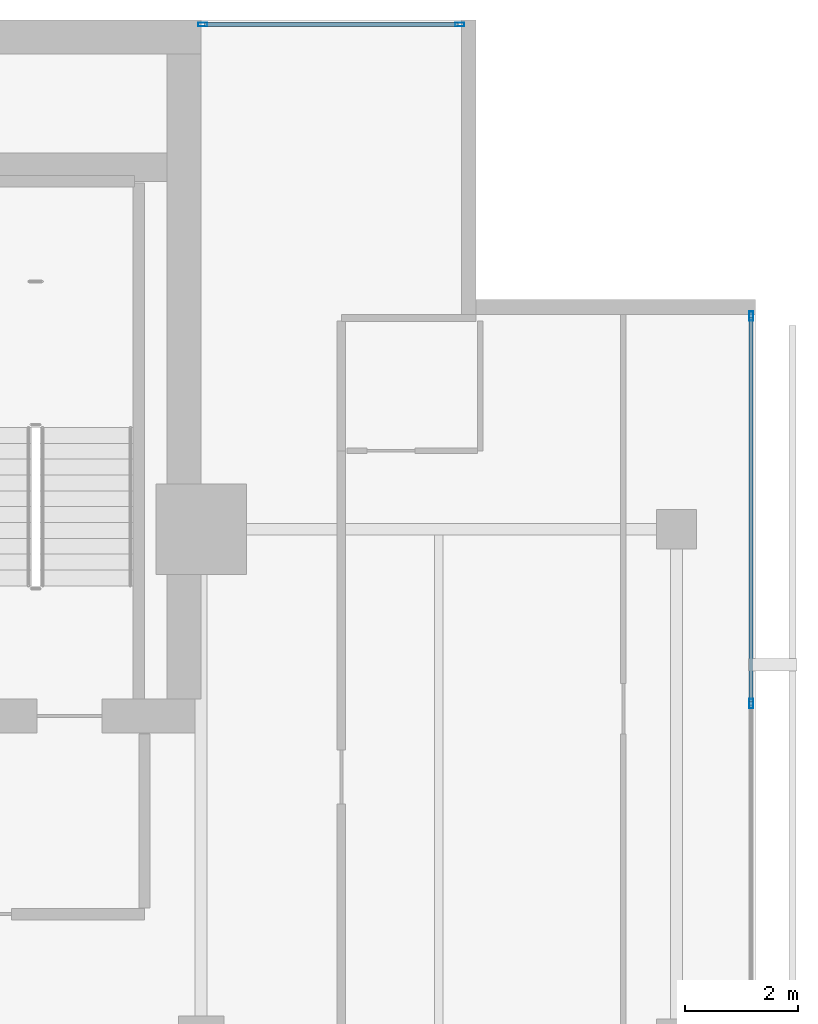
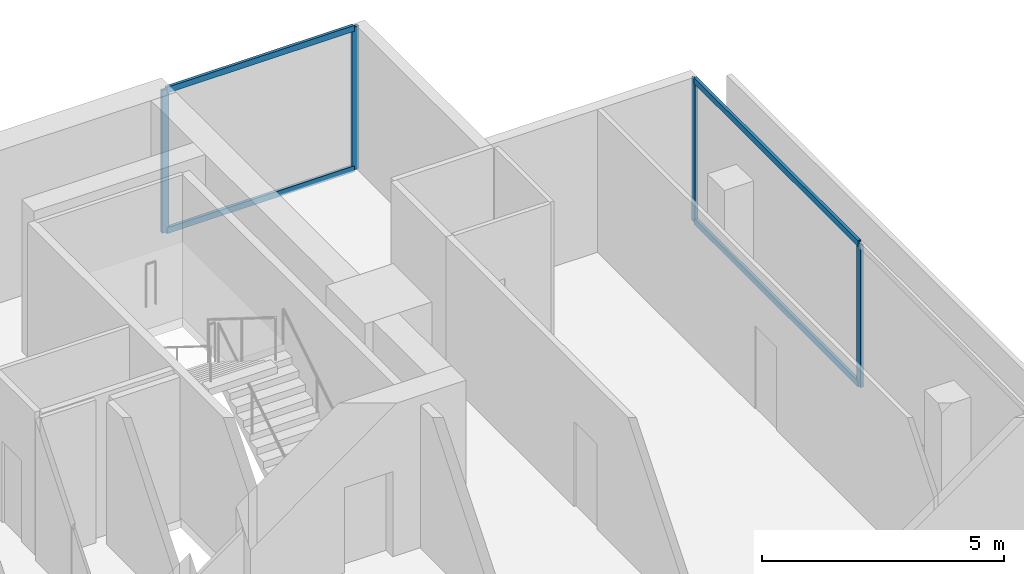
# One storey, part 18 of 25: 8 members, 2 elements without a shape of their own.
"""IFC4 building model written with IfcOpenShell, lengths in metres."""

from ifc_helpers import new_model, si_unit, direction, frame, origin, origin_2d, place, context, subcontext, project, spatial, hollow_rectangle, extrude, material, layer, layer_set, material_profile, profile_set, type_object, element, aggregate, save


model = new_model("IFC4")

# Units and contexts
model_context = context("Model", 3, precision=1e-05, world=origin(), true_north=direction((0.0, 1.0)))
body_context = subcontext(model_context, "Body", "Model", "MODEL_VIEW")
ifc_project = project(units=[si_unit("LENGTHUNIT", "METRE"), si_unit("AREAUNIT", "SQUARE_METRE"), si_unit("VOLUMEUNIT", "CUBIC_METRE"), si_unit("PLANEANGLEUNIT", "RADIAN"), si_unit("MASSUNIT", "GRAM", prefix="KILO")], contexts=[model_context])

# Site, building, storey
site_placement = place(None, origin())
site = spatial("IfcSite", under=ifc_project, at=site_placement, CompositionType="ELEMENT")
building_placement = place(site_placement, origin())
building = spatial("IfcBuilding", under=site, at=building_placement, Name="Maruvema Waterfront Hotel and Observation Tower", CompositionType="ELEMENT")
storey_placement = place(building_placement, frame((0.0, 0.0, 274.050048828125)))
storey = spatial("IfcBuildingStorey", under=building, at=storey_placement, Name="L67", CompositionType="ELEMENT", Elevation=274.050048828125)

# Curtain wall, members
ifc_material_1 = material(Name="Anodised bronze aluminium and solar-control low-E IGU", Category="aluminium")
ifc_layer = layer(ifc_material_1, 0.159912109375, Name="Zone 3 Champagne Inner Thermal Curtain Wall System CW-04")
ifc_layer_set = layer_set([ifc_layer], Name="Anodised bronze aluminium and solar-control low-E IGU")
curtain_wall_type = type_object("IfcCurtainWallType", Name="Zone 3 Champagne Inner Thermal Curtain Wall System CW-04", PredefinedType="USERDEFINED", material=ifc_layer_set)
curtain_wall_1_placement = place(storey_placement, origin())
curtain_wall_1 = element("IfcCurtainWall", 1, at=curtain_wall_1_placement, inside=storey, type_object=curtain_wall_type, Name="L67 Curtain Wall CW-L67-E", ObjectType="UNITISED CURTAIN WALL", PredefinedType="USERDEFINED")
ifc_material_2 = material(Name="Anodised architectural bronze aluminium", Category="aluminium")
ifc_material_profile_1 = material_profile(ifc_material_2, hollow_rectangle(XDim=0.070068359375, YDim=0.14990234375, WallThickness=0.00390625, at=origin_2d()), Name="ALU-T70x150")
ifc_profile_set_1 = profile_set([ifc_material_profile_1], Name="Anodised architectural bronze aluminium")
member_type_1 = type_object("IfcMemberType", Name="Curtain Wall Horizontal Transom ALU-T70x150", PredefinedType="USERDEFINED", material=ifc_profile_set_1)
member_1_placement = place(storey_placement, frame((60.1201171875, 41.949951171875, 0.030029296875), z_axis=(0.0, 1.0, 0.0), x_axis=(-1.0, 0.0, 0.0)))
member_1 = element("IfcMember", 2, at=member_1_placement, type_object=member_type_1, Name="CW-04 transom 5.1", ObjectType="TRANSOM", PredefinedType="USERDEFINED", context=body_context, shape_type="SweptSolid", body=[
    extrude(hollow_rectangle(XDim=0.070068359375, YDim=0.14990234375, WallThickness=0.00390625, at=origin_2d()), origin(), (0.0, 0.0, 1.0), 6.7900390625),
])
member_2_placement = place(storey_placement, frame((60.1201171875, 41.949951171875, 3.579833984375), z_axis=(0.0, 1.0, 0.0), x_axis=(-1.0, 0.0, 0.0)))
member_2 = element("IfcMember", 3, at=member_2_placement, type_object=member_type_1, Name="CW-04 transom 5.2", ObjectType="TRANSOM", PredefinedType="USERDEFINED", context=body_context, shape_type="SweptSolid", body=[
    extrude(hollow_rectangle(XDim=0.070068359375, YDim=0.14990234375, WallThickness=0.00390625, at=origin_2d()), origin(), (0.0, 0.0, 1.0), 6.7900390625),
])

curtain_wall_2_placement = place(storey_placement, origin())
curtain_wall_2 = element("IfcCurtainWall", 4, at=curtain_wall_2_placement, inside=storey, type_object=curtain_wall_type, Name="L67 Curtain Wall CW-L67-NE", ObjectType="UNITISED CURTAIN WALL", PredefinedType="USERDEFINED")
member_3_placement = place(storey_placement, frame((54.93994140625, 53.919921875, 0.030029296875), z_axis=(-1.0, 0.0, 0.0), x_axis=(0.0, -1.0, 0.0)))
member_3 = element("IfcMember", 5, at=member_3_placement, type_object=member_type_1, Name="CW-04 transom 1.1", ObjectType="TRANSOM", PredefinedType="USERDEFINED", context=body_context, shape_type="SweptSolid", body=[
    extrude(hollow_rectangle(XDim=0.070068359375, YDim=0.14990234375, WallThickness=0.00390625, at=origin_2d()), origin(), (0.0, 0.0, 1.0), 4.47998046875),
])
member_4_placement = place(storey_placement, frame((54.93994140625, 53.919921875, 3.579833984375), z_axis=(-1.0, 0.0, 0.0), x_axis=(0.0, -1.0, 0.0)))
member_4 = element("IfcMember", 6, at=member_4_placement, type_object=member_type_1, Name="CW-04 transom 1.2", ObjectType="TRANSOM", PredefinedType="USERDEFINED", context=body_context, shape_type="SweptSolid", body=[
    extrude(hollow_rectangle(XDim=0.070068359375, YDim=0.14990234375, WallThickness=0.00390625, at=origin_2d()), origin(), (0.0, 0.0, 1.0), 4.47998046875),
])

# Member
ifc_material_3 = material(Name="Anodised architectural bronze aluminium", Category="aluminium")
ifc_material_profile_2 = material_profile(ifc_material_3, hollow_rectangle(XDim=0.06494140625, YDim=0.1650390625, WallThickness=0.00390625, at=origin_2d()), Name="ALU-M65x165")
ifc_profile_set_2 = profile_set([ifc_material_profile_2], Name="Anodised architectural bronze aluminium")
member_type_2 = type_object("IfcMemberType", Name="Curtain Wall Primary Mullion ALU-M65x165", PredefinedType="MULLION", material=ifc_profile_set_2)
member_5_placement = place(storey_placement, frame((60.1201171875, 41.919921875, 0.0), z_axis=(0.0, 0.0, 1.0), x_axis=(-1.0, 0.0, 0.0)))
member_5 = element("IfcMember", 7, at=member_5_placement, type_object=member_type_2, Name="CW-04 mullion 5", PredefinedType="MULLION", context=body_context, shape_type="SweptSolid", body=[
    extrude(hollow_rectangle(XDim=0.06494140625, YDim=0.1650390625, WallThickness=0.00390625, at=origin_2d()), origin(), (0.0, 0.0, 1.0), 3.60986328125),
])

member_6_placement = place(storey_placement, frame((60.1201171875, 48.77001953125, 0.0), z_axis=(0.0, 0.0, 1.0), x_axis=(-1.0, 0.0, 0.0)))
member_6 = element("IfcMember", 8, at=member_6_placement, type_object=member_type_2, Name="CW-04 mullion 6", PredefinedType="MULLION", context=body_context, shape_type="SweptSolid", body=[
    extrude(hollow_rectangle(XDim=0.06494140625, YDim=0.1650390625, WallThickness=0.00390625, at=origin_2d()), origin(), (0.0, 0.0, 1.0), 3.60986328125),
])

aggregate(curtain_wall_1, [member_5, member_6, member_1, member_2])

member_7_placement = place(storey_placement, frame((54.969970703125, 53.919921875, 0.0), z_axis=(0.0, 0.0, 1.0), x_axis=(0.0, -1.0, 0.0)))
member_7 = element("IfcMember", 9, at=member_7_placement, type_object=member_type_2, Name="CW-04 mullion 1", PredefinedType="MULLION", context=body_context, shape_type="SweptSolid", body=[
    extrude(hollow_rectangle(XDim=0.06494140625, YDim=0.1650390625, WallThickness=0.00390625, at=origin_2d()), origin(), (0.0, 0.0, 1.0), 3.60986328125),
])

member_8_placement = place(storey_placement, frame((50.429931640625, 53.919921875, 0.0), z_axis=(0.0, 0.0, 1.0), x_axis=(0.0, -1.0, 0.0)))
member_8 = element("IfcMember", 10, at=member_8_placement, type_object=member_type_2, Name="CW-04 mullion 2", PredefinedType="MULLION", context=body_context, shape_type="SweptSolid", body=[
    extrude(hollow_rectangle(XDim=0.06494140625, YDim=0.1650390625, WallThickness=0.00390625, at=origin_2d()), origin(), (0.0, 0.0, 1.0), 3.60986328125),
])

aggregate(curtain_wall_2, [member_7, member_8, member_3, member_4])

save(model, "model.ifc")
